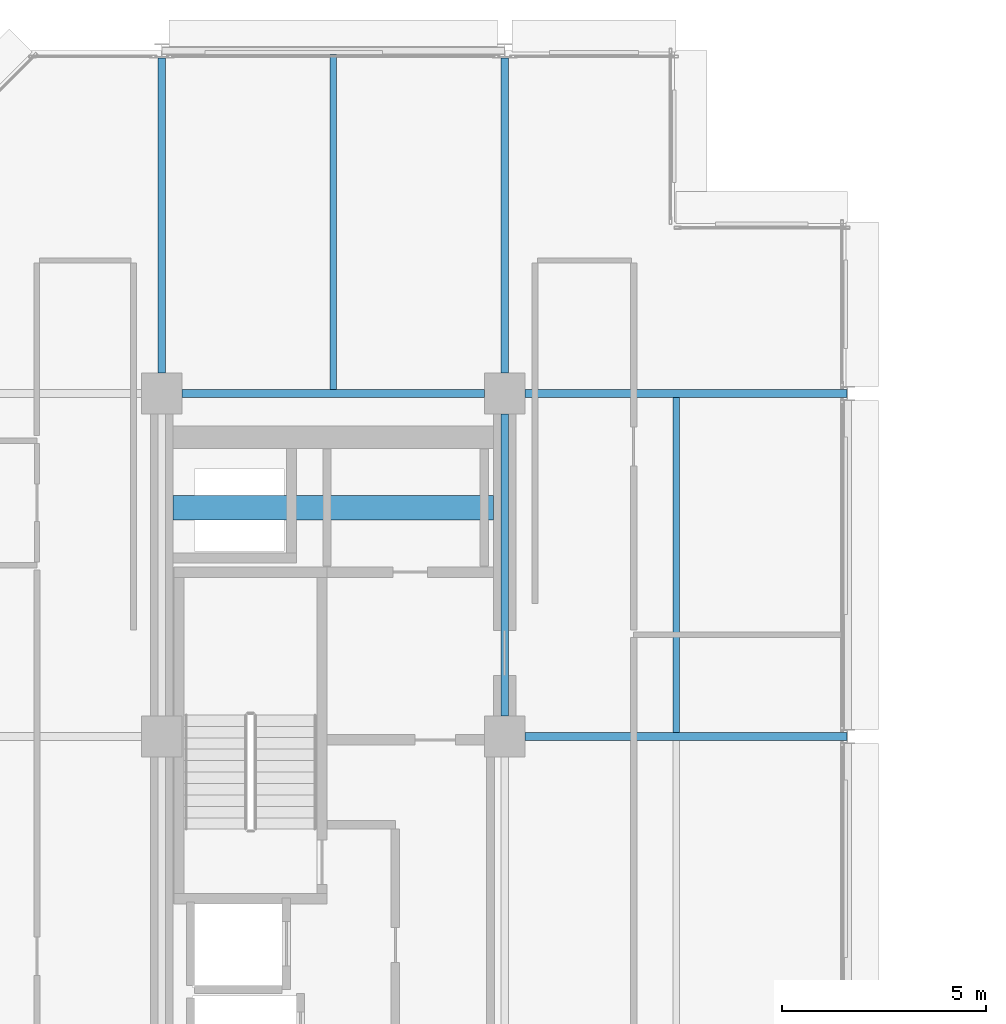
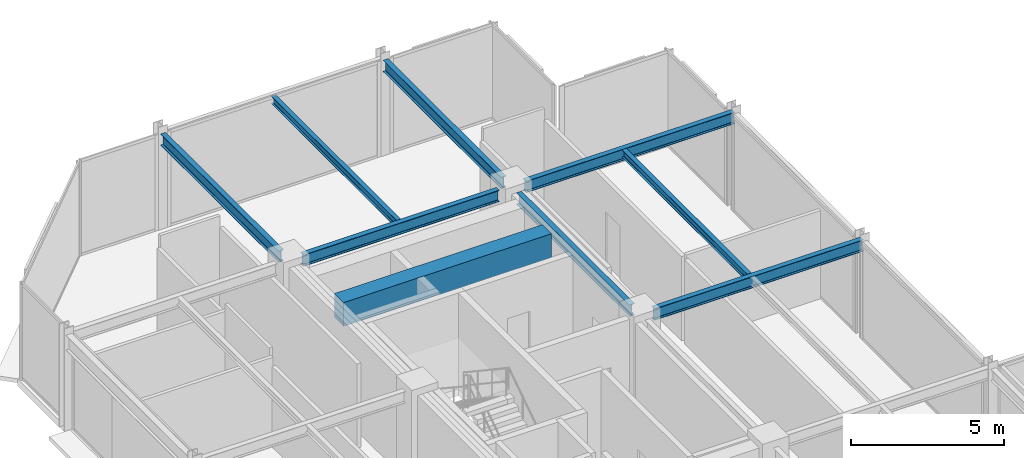
# One storey, part 18 of 29: 9 beams.
"""IFC4 building model written with IfcOpenShell, lengths in metres."""

from ifc_helpers import new_model, si_unit, direction, frame, origin, origin_2d, place, context, subcontext, project, spatial, rectangle, i_section, extrude, material, material_profile, profile_set, type_object, element, save


model = new_model("IFC4")

# Units and contexts
model_context = context("Model", 3, precision=1e-05, world=origin(), true_north=direction((0.0, 1.0)))
body_context = subcontext(model_context, "Body", "Model", "MODEL_VIEW")
ifc_project = project(units=[si_unit("LENGTHUNIT", "METRE"), si_unit("AREAUNIT", "SQUARE_METRE"), si_unit("VOLUMEUNIT", "CUBIC_METRE"), si_unit("PLANEANGLEUNIT", "RADIAN"), si_unit("MASSUNIT", "GRAM", prefix="KILO")], contexts=[model_context])

# Site, building, storey
site_placement = place(None, origin())
site = spatial("IfcSite", under=ifc_project, at=site_placement, CompositionType="ELEMENT")
building_placement = place(site_placement, origin())
building = spatial("IfcBuilding", under=site, at=building_placement, Name="Nerrivon Quay Data Exchange", CompositionType="ELEMENT")
storey_placement = place(building_placement, frame((0.0, 0.0, 204.199951171875)))
storey = spatial("IfcBuildingStorey", under=building, at=storey_placement, Name="L48", CompositionType="ELEMENT", Elevation=204.199951171875)

# Beams
ifc_material_1 = material(Name="Concrete N50 (50 MPa)", Category="concrete")
ifc_material_profile_1 = material_profile(ifc_material_1, rectangle(XDim=0.60009765625, YDim=0.949951171875, at=origin_2d()), Name="RC-CB-600x950")
ifc_profile_set_1 = profile_set([ifc_material_profile_1], Name="Concrete N50 (50 MPa)")
beam_type_1 = type_object("IfcBeamType", Name="BM-CB2-600x950", PredefinedType="LINTEL", material=ifc_profile_set_1)
beam_1_placement = place(storey_placement, frame((8.675048828125, 39.199951171875, 3.35009765625), z_axis=(1.0, 0.0, 0.0), x_axis=(0.0, 1.0, 0.0)))
element("IfcBeam", 1, at=beam_1_placement, inside=storey, type_object=beam_type_1, Name="L48 West Core Coupling Beam", PredefinedType="LINTEL", context=body_context, shape_type="SweptSolid", body=[
    extrude(rectangle(XDim=0.60009765625, YDim=0.949951171875, at=origin_2d()), origin(), (0.0, 0.0, 1.0), 7.849853515625),
])
ifc_material_2 = material(Name="Steel Grade 350", Category="steel")
ifc_material_profile_2 = material_profile(ifc_material_2, i_section(OverallWidth=0.19091796875, OverallDepth=0.4599609375, WebThickness=0.010009765625, FlangeThickness=0.01611328125, FilletRadius=0.011474609375, at=origin_2d()), Name="460UB82.1")
ifc_profile_set_2 = profile_set([ifc_material_profile_2], Name="Steel Grade 350")
beam_type_2 = type_object("IfcBeamType", Name="BM-G5-460UB82", PredefinedType="BEAM", material=ifc_profile_set_2)
beam_2_placement = place(storey_placement, frame((17.300048828125, 33.60009765625, 3.594970703125), z_axis=(1.0, 0.0, 0.0), x_axis=(0.0, 1.0, 0.0)))
element("IfcBeam", 2, at=beam_2_placement, inside=storey, type_object=beam_type_2, Name="L48 EW Girder Y=33.6 (16.8..25.2)", PredefinedType="BEAM", context=body_context, shape_type="SweptSolid", body=[
    extrude(i_section(OverallWidth=0.19091796875, OverallDepth=0.4599609375, WebThickness=0.010009765625, FlangeThickness=0.01611328125, FilletRadius=0.011474609375, at=origin_2d()), origin(), (0.0, 0.0, 1.0), 7.889892578125),
])
beam_3_placement = place(storey_placement, frame((8.89990234375, 42.0, 3.594970703125), z_axis=(1.0, 0.0, 0.0), x_axis=(0.0, 1.0, 0.0)))
element("IfcBeam", 3, at=beam_3_placement, inside=storey, type_object=beam_type_2, Name="L48 EW Girder Y=42.0 (8.4..16.8)", PredefinedType="BEAM", context=body_context, shape_type="SweptSolid", body=[
    extrude(i_section(OverallWidth=0.19091796875, OverallDepth=0.4599609375, WebThickness=0.010009765625, FlangeThickness=0.01611328125, FilletRadius=0.011474609375, at=origin_2d()), origin(), (0.0, 0.0, 1.0), 7.400146484375),
])
beam_4_placement = place(storey_placement, frame((17.300048828125, 42.0, 3.594970703125), z_axis=(1.0, 0.0, 0.0), x_axis=(0.0, 1.0, 0.0)))
element("IfcBeam", 4, at=beam_4_placement, inside=storey, type_object=beam_type_2, Name="L48 EW Girder Y=42.0 (16.8..25.2)", PredefinedType="BEAM", context=body_context, shape_type="SweptSolid", body=[
    extrude(i_section(OverallWidth=0.19091796875, OverallDepth=0.4599609375, WebThickness=0.010009765625, FlangeThickness=0.01611328125, FilletRadius=0.011474609375, at=origin_2d()), origin(), (0.0, 0.0, 1.0), 7.889892578125),
])
ifc_material_profile_3 = material_profile(ifc_material_2, i_section(OverallWidth=0.18994140625, OverallDepth=0.4541015625, WebThickness=0.008544921875, FlangeThickness=0.0126953125, FilletRadius=0.011474609375, at=origin_2d()), Name="460UB67.1")
ifc_profile_set_3 = profile_set([ifc_material_profile_3], Name="Steel Grade 350")
beam_type_3 = type_object("IfcBeamType", Name="BM-G6-460UB67", PredefinedType="BEAM", material=ifc_profile_set_3)
beam_5_placement = place(storey_placement, frame((8.39990234375, 42.5, 3.59814453125), z_axis=(0.0, 1.0, 0.0), x_axis=(-1.0, 0.0, 0.0)))
element("IfcBeam", 5, at=beam_5_placement, inside=storey, type_object=beam_type_3, Name="L48 NS Girder X=8.4 (42.0..50.4)", PredefinedType="BEAM", context=body_context, shape_type="SweptSolid", body=[
    extrude(i_section(OverallWidth=0.18994140625, OverallDepth=0.4541015625, WebThickness=0.008544921875, FlangeThickness=0.0126953125, FilletRadius=0.011474609375, at=origin_2d()), origin(), (0.0, 0.0, 1.0), 7.72509765625),
])
beam_6_placement = place(storey_placement, frame((16.800048828125, 34.10009765625, 3.59814453125), z_axis=(0.0, 1.0, 0.0), x_axis=(-1.0, 0.0, 0.0)))
element("IfcBeam", 6, at=beam_6_placement, inside=storey, type_object=beam_type_3, Name="L48 NS Girder X=16.8 (33.6..42.0)", PredefinedType="BEAM", context=body_context, shape_type="SweptSolid", body=[
    extrude(i_section(OverallWidth=0.18994140625, OverallDepth=0.4541015625, WebThickness=0.008544921875, FlangeThickness=0.0126953125, FilletRadius=0.011474609375, at=origin_2d()), origin(), (0.0, 0.0, 1.0), 7.39990234375),
])
beam_7_placement = place(storey_placement, frame((16.800048828125, 42.5, 3.59814453125), z_axis=(0.0, 1.0, 0.0), x_axis=(-1.0, 0.0, 0.0)))
element("IfcBeam", 7, at=beam_7_placement, inside=storey, type_object=beam_type_3, Name="L48 NS Girder X=16.8 (42.0..50.4)", PredefinedType="BEAM", context=body_context, shape_type="SweptSolid", body=[
    extrude(i_section(OverallWidth=0.18994140625, OverallDepth=0.4541015625, WebThickness=0.008544921875, FlangeThickness=0.0126953125, FilletRadius=0.011474609375, at=origin_2d()), origin(), (0.0, 0.0, 1.0), 7.72509765625),
])
ifc_material_profile_4 = material_profile(ifc_material_2, i_section(OverallWidth=0.166015625, OverallDepth=0.306884765625, WebThickness=0.006591796875, FlangeThickness=0.01171875, FilletRadius=0.011474609375, at=origin_2d()), Name="310UB46.2")
ifc_profile_set_4 = profile_set([ifc_material_profile_4], Name="Steel Grade 350")
beam_type_4 = type_object("IfcBeamType", Name="BM-J5-310UB46", PredefinedType="JOIST", material=ifc_profile_set_4)
beam_8_placement = place(storey_placement, frame((12.60009765625, 42.095458984375, 3.671630859375), z_axis=(0.0, 1.0, 0.0), x_axis=(-1.0, 0.0, 0.0)))
element("IfcBeam", 8, at=beam_8_placement, inside=storey, type_object=beam_type_4, Name="L48 Secondary Joist X=12.6 (42.0..50.4)", PredefinedType="JOIST", context=body_context, shape_type="SweptSolid", body=[
    extrude(i_section(OverallWidth=0.166015625, OverallDepth=0.306884765625, WebThickness=0.006591796875, FlangeThickness=0.01171875, FilletRadius=0.011474609375, at=origin_2d()), origin(), (0.0, 0.0, 1.0), 8.20458984375),
])
beam_9_placement = place(storey_placement, frame((21.0, 33.695556640625, 3.671630859375), z_axis=(0.0, 1.0, 0.0), x_axis=(-1.0, 0.0, 0.0)))
element("IfcBeam", 9, at=beam_9_placement, inside=storey, type_object=beam_type_4, Name="L48 Secondary Joist X=21.0 (33.6..42.0)", PredefinedType="JOIST", context=body_context, shape_type="SweptSolid", body=[
    extrude(i_section(OverallWidth=0.166015625, OverallDepth=0.306884765625, WebThickness=0.006591796875, FlangeThickness=0.01171875, FilletRadius=0.011474609375, at=origin_2d()), origin(), (0.0, 0.0, 1.0), 8.208984375),
])

save(model, "model.ifc")
